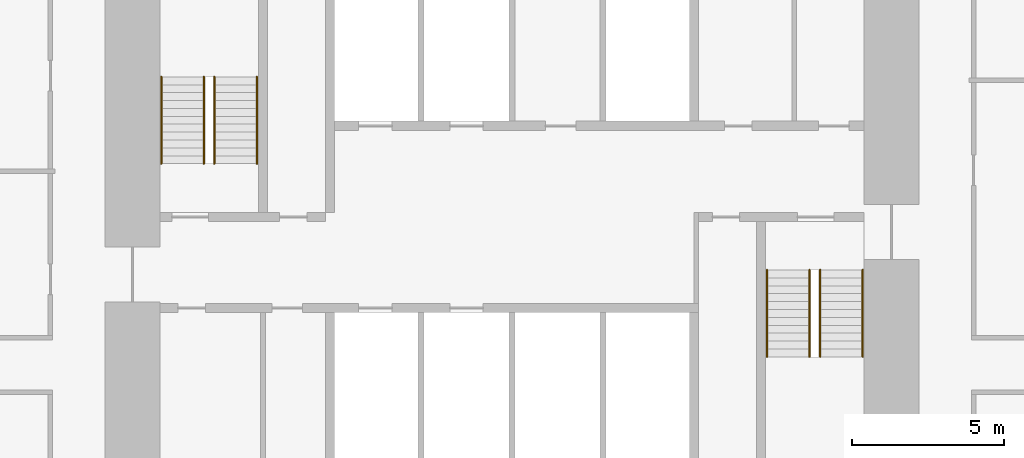
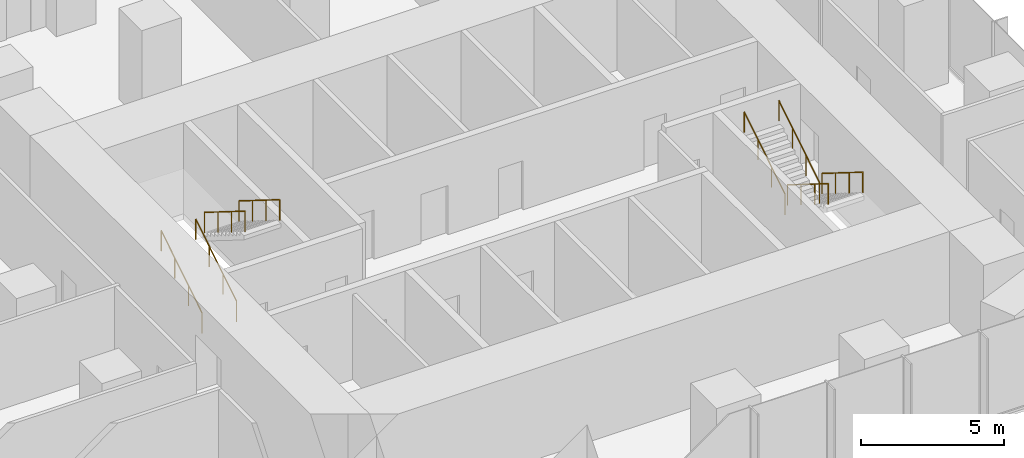
# One storey, part 12 of 12: 8 railings.
"""IFC4 building model written with IfcOpenShell, lengths in metres."""

from ifc_helpers import new_model, si_unit, direction, frame, origin, origin_2d, place, context, subcontext, project, spatial, circle, extrude, material, type_object, element, save


model = new_model("IFC4")

# Units and contexts
model_context = context("Model", 3, precision=1e-05, world=origin(), true_north=direction((0.0, 1.0)))
body_context = subcontext(model_context, "Body", "Model", "MODEL_VIEW")
ifc_project = project(units=[si_unit("LENGTHUNIT", "METRE"), si_unit("AREAUNIT", "SQUARE_METRE"), si_unit("VOLUMEUNIT", "CUBIC_METRE"), si_unit("PLANEANGLEUNIT", "RADIAN"), si_unit("MASSUNIT", "GRAM", prefix="KILO")], contexts=[model_context])

# Site, building, storey
site_placement = place(None, origin())
site = spatial("IfcSite", under=ifc_project, at=site_placement, CompositionType="ELEMENT")
building_placement = place(site_placement, origin())
building = spatial("IfcBuilding", under=site, at=building_placement, Name="Highveld Stack Headquarters", CompositionType="ELEMENT")
storey_placement = place(building_placement, frame((0.0, 0.0, 101.60009765625)))
storey = spatial("IfcBuildingStorey", under=building, at=storey_placement, Name="L24", CompositionType="ELEMENT", Elevation=101.60009765625)

# Railings
ifc_material = material(Name="Stainless steel handrail", Category="steel")
railing_type = type_object("IfcRailingType", Name="STAIR HANDRAIL HR1 900", PredefinedType="HANDRAIL", material=ifc_material)
for number, where, name in (
    (1, (-5.550048828125, 4.75, 0.162353515625), "Handrail S1 L24 flight 1"),
    (2, (-4.14990234375, 4.75, 0.162353515625), "Handrail S1 L24 flight 1"),
):
    element("IfcRailing", number, at=place(storey_placement, frame(where)), inside=storey, type_object=railing_type, Name=name, PredefinedType="HANDRAIL", context=body_context, shape_type="SweptSolid", body=[
        extrude(circle(Radius=0.02392578125, at=origin_2d()), frame((0.0, 0.0, 0.8759765625), z_axis=(0.0, 0.847994237388, 0.530005446535), x_axis=(-1.0, 0.0, 0.0)), (0.0, 0.0, 1.0), 3.372802734375),
        extrude(circle(Radius=0.02099609375, at=origin_2d()), origin(), (0.0, 0.0, 1.0), 0.851806640625),
        extrude(circle(Radius=0.02099609375, at=origin_2d()), frame((0.0, 0.953369140625, 0.595947265625)), (0.0, 0.0, 1.0), 0.851806640625),
        extrude(circle(Radius=0.02099609375, at=origin_2d()), frame((0.0, 1.90673828125, 1.191650390625)), (0.0, 0.0, 1.0), 0.851806640625),
        extrude(circle(Radius=0.02099609375, at=origin_2d()), frame((0.0, 2.860107421875, 1.78759765625)), (0.0, 0.0, 1.0), 0.851806640625),
    ])
for number, where, name in (
    (3, (-3.800048828125, 7.610107421875, 2.1123046875), "Handrail S1 L24 flight 2"),
    (4, (-2.39990234375, 7.610107421875, 2.1123046875), "Handrail S1 L24 flight 2"),
    (5, (16.14990234375, 1.25, 0.162353515625), "Handrail S2 L24 flight 1"),
    (6, (17.550048828125, 1.25, 0.162353515625), "Handrail S2 L24 flight 1"),
):
    element("IfcRailing", number, at=place(storey_placement, frame(where)), inside=storey, type_object=railing_type, Name=name, PredefinedType="HANDRAIL", context=body_context, shape_type="SweptSolid", body=[
        extrude(circle(Radius=0.02392578125, at=origin_2d()), frame((0.0, 0.0, 0.8759765625), z_axis=(0.0, -0.847994237388, 0.530005446535), x_axis=(1.0, 0.0, 0.0)), (0.0, 0.0, 1.0), 3.372802734375),
        extrude(circle(Radius=0.02099609375, at=origin_2d()), origin(), (0.0, 0.0, 1.0), 0.851806640625),
        extrude(circle(Radius=0.02099609375, at=origin_2d()), frame((0.0, -0.953369140625, 0.595947265625)), (0.0, 0.0, 1.0), 0.851806640625),
        extrude(circle(Radius=0.02099609375, at=origin_2d()), frame((0.0, -1.90673828125, 1.191650390625)), (0.0, 0.0, 1.0), 0.851806640625),
        extrude(circle(Radius=0.02099609375, at=origin_2d()), frame((0.0, -2.860107421875, 1.78759765625)), (0.0, 0.0, 1.0), 0.851806640625),
    ])
for number, where, name in (
    (7, (14.39990234375, -1.610107421875, 2.1123046875), "Handrail S2 L24 flight 2"),
    (8, (15.800048828125, -1.610107421875, 2.1123046875), "Handrail S2 L24 flight 2"),
):
    element("IfcRailing", number, at=place(storey_placement, frame(where)), inside=storey, type_object=railing_type, Name=name, PredefinedType="HANDRAIL", context=body_context, shape_type="SweptSolid", body=[
        extrude(circle(Radius=0.02392578125, at=origin_2d()), frame((0.0, 0.0, 0.8759765625), z_axis=(0.0, 0.847994237388, 0.530005446535), x_axis=(-1.0, 0.0, 0.0)), (0.0, 0.0, 1.0), 3.372802734375),
        extrude(circle(Radius=0.02099609375, at=origin_2d()), origin(), (0.0, 0.0, 1.0), 0.851806640625),
        extrude(circle(Radius=0.02099609375, at=origin_2d()), frame((0.0, 0.953369140625, 0.595947265625)), (0.0, 0.0, 1.0), 0.851806640625),
        extrude(circle(Radius=0.02099609375, at=origin_2d()), frame((0.0, 1.90673828125, 1.191650390625)), (0.0, 0.0, 1.0), 0.851806640625),
        extrude(circle(Radius=0.02099609375, at=origin_2d()), frame((0.0, 2.860107421875, 1.78759765625)), (0.0, 0.0, 1.0), 0.851806640625),
    ])

save(model, "model.ifc")
